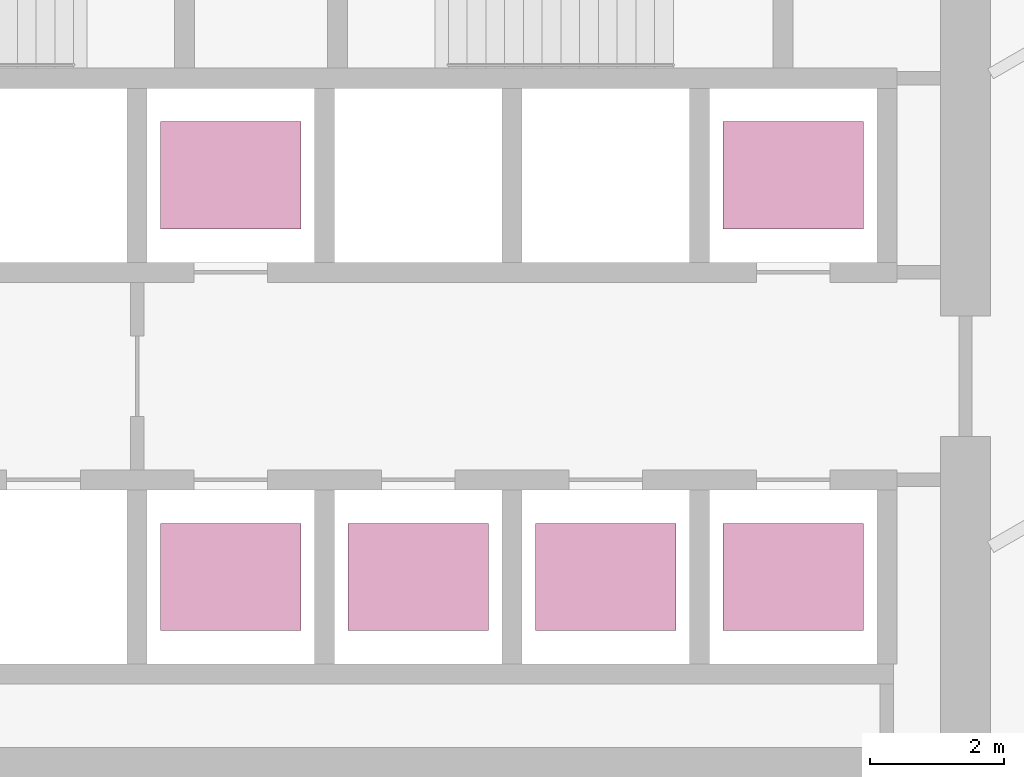
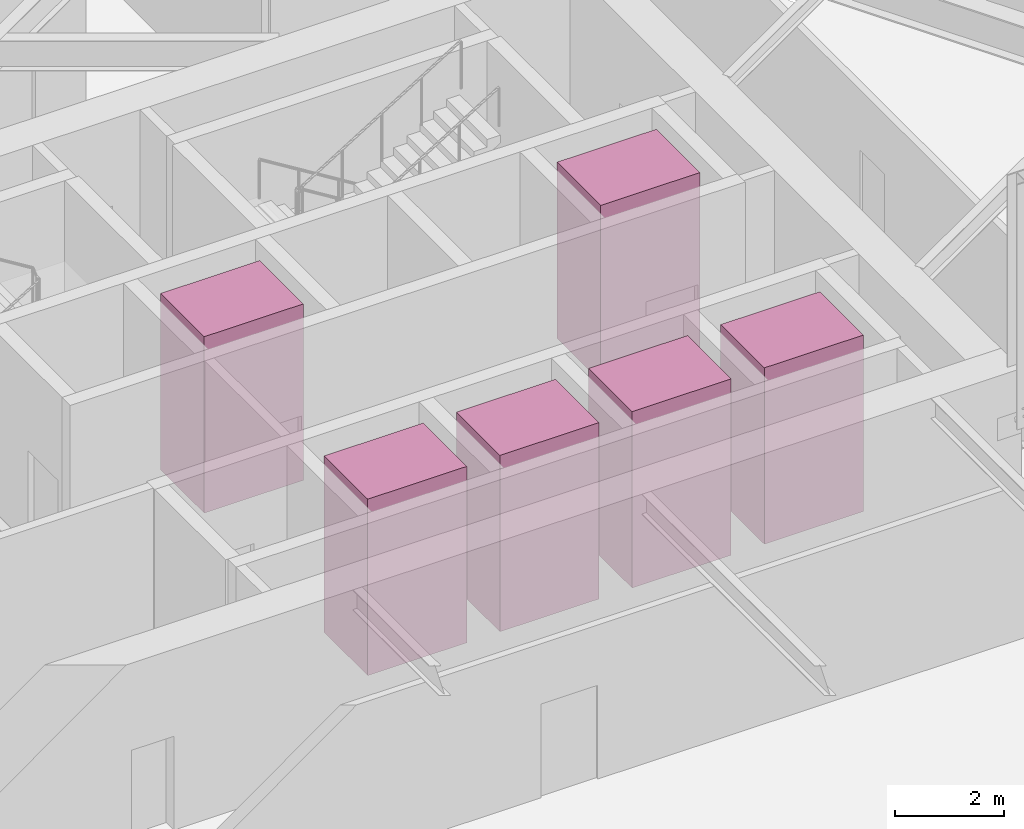
# One storey, part 13 of 13: 6 transport elements.
"""IFC4 building model written with IfcOpenShell, lengths in metres."""

from ifc_helpers import new_model, si_unit, direction, frame, origin, origin_2d, place, context, subcontext, project, spatial, rectangle, extrude, material, type_object, element, save


model = new_model("IFC4")

# Units and contexts
model_context = context("Model", 3, precision=1e-05, world=origin(), true_north=direction((0.0, 1.0)))
body_context = subcontext(model_context, "Body", "Model", "MODEL_VIEW")
ifc_project = project(units=[si_unit("LENGTHUNIT", "METRE"), si_unit("AREAUNIT", "SQUARE_METRE"), si_unit("VOLUMEUNIT", "CUBIC_METRE"), si_unit("PLANEANGLEUNIT", "RADIAN"), si_unit("MASSUNIT", "GRAM", prefix="KILO")], contexts=[model_context])

# Site, building, storey
site_placement = place(None, origin())
site = spatial("IfcSite", under=ifc_project, at=site_placement, CompositionType="ELEMENT")
building_placement = place(site_placement, origin())
building = spatial("IfcBuilding", under=site, at=building_placement, Name="Firuza Gate Tower and Library", CompositionType="ELEMENT")
storey_placement = place(building_placement, frame((0.0, 0.0, 146.800048828125)))
storey = spatial("IfcBuildingStorey", under=building, at=storey_placement, Name="L33", CompositionType="ELEMENT", Elevation=146.800048828125)

# Transport elements
ifc_material = material(Name="Stainless steel and glass", Category="steel")
transport_element_type = type_object("IfcTransportElementType", Name="Mid-rise lift car 2100x1600", PredefinedType="ELEVATOR", material=ifc_material)
for number, where, z_axis, x_axis, name in (
    (1, (74.64990234375, 70.300048828125, 0.0), (0.0, 0.0, 1.0), (1.0, 0.0, 0.0), "Mid-rise lift MR1"),
    (2, (77.449951171875, 70.300048828125, 0.0), (0.0, 0.0, 1.0), (1.0, 0.0, 0.0), "Mid-rise lift MR2"),
    (3, (80.25, 70.300048828125, 0.0), (0.0, 0.0, 1.0), (1.0, 0.0, 0.0), "Mid-rise lift MR3"),
    (4, (74.64990234375, 76.300048828125, 0.0), (0.0, 0.0, 1.0), (1.0, 0.0, 0.0), "Mid-rise lift MR4"),
    (5, (83.050048828125, 70.300048828125, 0.0), (0.0, 0.0, 1.0), (1.0, 0.0, 0.0), "Mid-rise lift MR5"),
    (6, (83.050048828125, 76.300048828125, 0.0), (0.0, 0.0, 1.0), (1.0, 0.0, 0.0), "Mid-rise lift MR6"),
):
    element("IfcTransportElement", number, at=place(storey_placement, frame(where, z_axis=z_axis, x_axis=x_axis)), inside=storey, type_object=transport_element_type, Name=name, PredefinedType="ELEVATOR", context=body_context, shape_type="SweptSolid", body=[
        extrude(rectangle(XDim=2.10009765625, YDim=1.60009765625, at=origin_2d()), origin(), (0.0, 0.0, 1.0), 3.949951171875),
    ])

save(model, "model.ifc")
